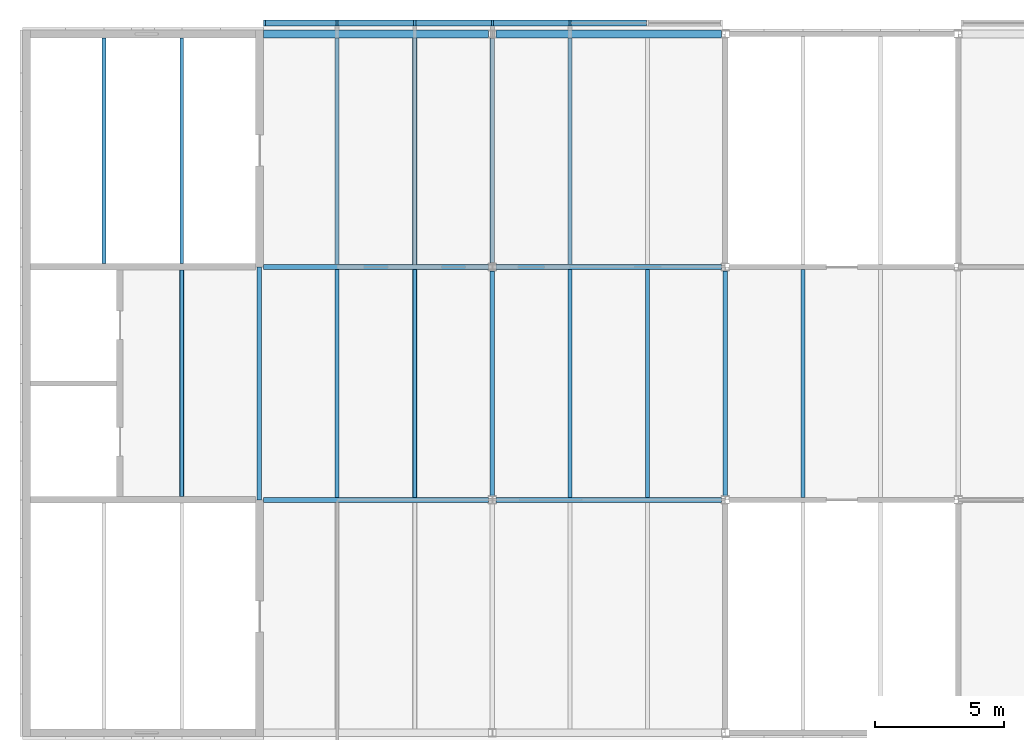
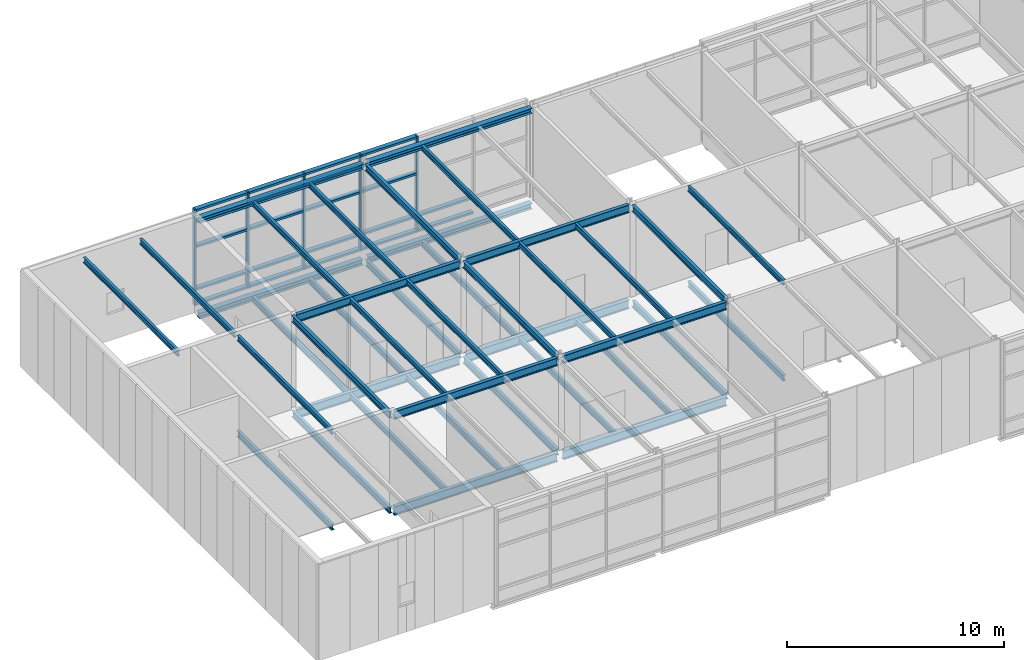
# One storey, part 15 of 46: 40 beams, 27 members, 1 element without a shape of its own.
"""IFC4 building model written with IfcOpenShell, lengths in metres."""

import ifcopenshell
import ifcopenshell.guid

model = None  # the IFC model being written
_history = None  # IfcOwnerHistory: only IFC2X3 demands one
_inside = {}  # id of a spatial element -> (the spatial element, [elements in it])
_under = {}  # id of a project, library or spatial element -> (it, [spatial elements below it])
_declared = {}  # id of a project -> (the project, [libraries it declares])
_typed = {}  # id of a type object -> (the type object, [elements of that type])
_made_of = {}  # id of a material, layer set ... -> (it, [elements and type objects made of it])


def new_model(schema):
    """Start an empty IFC model of exactly this schema.

    Asked for "IFC4X3", IfcOpenShell would pick the latest addendum, in which some entities
    have other attributes; the version numbers below select the first issue.
    IFC2X3 requires an IfcOwnerHistory on every rooted entity: one is made here for all.
    """
    global model, _history
    if schema == "IFC4X3":
        model = ifcopenshell.file(schema_version=(4, 3, 0, 0))
    else:
        model = ifcopenshell.file(schema=schema)
    _inside.clear()
    _under.clear()
    _declared.clear()
    _typed.clear()
    _made_of.clear()
    _history = None
    if model.schema == "IFC2X3":
        org = make("IfcOrganization", Name="unknown")
        user = make(
            "IfcPersonAndOrganization",
            ThePerson=make("IfcPerson", FamilyName="unknown"),
            TheOrganization=org,
        )
        app = make(
            "IfcApplication",
            ApplicationDeveloper=org,
            Version="unknown",
            ApplicationFullName="unknown",
            ApplicationIdentifier="unknown",
        )
        _history = make(
            "IfcOwnerHistory",
            OwningUser=user,
            OwningApplication=app,
            ChangeAction="ADDED",
            CreationDate=0,
        )
    return model


def make(cls, **values):
    """One entity of the class cls with the attributes given. An attribute that is None is left unset."""
    return model.create_entity(
        cls, **{name: value for name, value in values.items() if value is not None}
    )


def rooted(cls, **values):
    """An entity with a GlobalId (a new one), such as an element, a storey or a relation."""
    return make(cls, GlobalId=ifcopenshell.guid.new(), OwnerHistory=_history, **values)


def si_unit(unit_type, name, prefix=None):
    """IfcSIUnit, for example si_unit("LENGTHUNIT", "METRE", prefix="MILLI")."""
    return make("IfcSIUnit", UnitType=unit_type, Prefix=prefix, Name=name)


def assignment(units):
    """IfcUnitAssignment: the units of a project."""
    return None if units is None else make("IfcUnitAssignment", Units=units)


def point(xyz):
    """IfcCartesianPoint."""
    return None if xyz is None else make("IfcCartesianPoint", Coordinates=xyz)


def direction(xyz):
    """IfcDirection."""
    return None if xyz is None else make("IfcDirection", DirectionRatios=xyz)


def frame(location, z_axis=None, x_axis=None):
    """IfcAxis2Placement3D, a coordinate frame: its origin and axes. An axis left out is left unset."""
    return make(
        "IfcAxis2Placement3D",
        Location=point(location),
        Axis=direction(z_axis),
        RefDirection=direction(x_axis),
    )


def frame_2d(location, x_axis=None):
    """IfcAxis2Placement2D, a coordinate frame in the plane: its origin and x axis."""
    return make(
        "IfcAxis2Placement2D", Location=point(location), RefDirection=direction(x_axis)
    )


def origin():
    """The frame at (0, 0, 0) with its axes left unset."""
    return frame((0.0, 0.0, 0.0))


def origin_2d():
    """The frame at (0, 0) in the plane with its x axis left unset."""
    return frame_2d((0.0, 0.0))


def place(relative_to, where):
    """IfcLocalPlacement: puts the frame where relative to a parent placement (None: the world)."""
    return make(
        "IfcLocalPlacement", PlacementRelTo=relative_to, RelativePlacement=where
    )


def context(
    kind, dimensions, precision=None, world=None, true_north=None, identifier=None
):
    """IfcGeometricRepresentationContext, for example the 3D "Model" context."""
    return make(
        "IfcGeometricRepresentationContext",
        ContextIdentifier=identifier,
        ContextType=kind,
        CoordinateSpaceDimension=dimensions,
        Precision=precision,
        WorldCoordinateSystem=world,
        TrueNorth=true_north,
    )


def subcontext(parent, identifier, kind, view, scale=None):
    """IfcGeometricRepresentationSubContext, for example "Body" below "Model"."""
    return make(
        "IfcGeometricRepresentationSubContext",
        ContextIdentifier=identifier,
        ContextType=kind,
        ParentContext=parent,
        TargetScale=scale,
        TargetView=view,
    )


def project(units=None, contexts=None):
    """IfcProject with its units and contexts."""
    return rooted(
        "IfcProject",
        Name="project",
        RepresentationContexts=contexts,
        UnitsInContext=assignment(units),
    )


def spatial(cls, under=None, at=None, **own):
    """A site, building, storey or space (cls), placed at a placement, below another one or the project."""
    s = rooted(cls, ObjectPlacement=at, **own)
    if under is not None:
        _under.setdefault(under.id(), (under, []))[1].append(s)
    return s


def profile(cls, at=None, kind="AREA", **sizes):
    """A parametric profile (cls). Its sizes go by their IFC names, for example OverallWidth=200.0."""
    return make(cls, ProfileType=kind, Position=at, **sizes)


def rectangle(**sizes):
    """IfcRectangleProfileDef."""
    return profile("IfcRectangleProfileDef", **sizes)


def i_section(**sizes):
    """IfcIShapeProfileDef."""
    return profile("IfcIShapeProfileDef", **sizes)


def extrude(swept, where, along, depth):
    """IfcExtrudedAreaSolid: the profile swept, set in the frame where, extruded along a direction by depth."""
    return make(
        "IfcExtrudedAreaSolid",
        SweptArea=swept,
        Position=where,
        ExtrudedDirection=direction(along),
        Depth=depth,
    )


def shape(context_of_items, identifier, shape_type, items):
    """IfcShapeRepresentation: the items that make up one representation, for example the "Body"."""
    return make(
        "IfcShapeRepresentation",
        ContextOfItems=context_of_items,
        RepresentationIdentifier=identifier,
        RepresentationType=shape_type,
        Items=items,
    )


def material(Name=None, Category=None):
    """IfcMaterial."""
    return make("IfcMaterial", Name=Name, Category=Category)


def material_profile(
    of_material, cross_section, Name=None, Category=None, Priority=None
):
    """IfcMaterialProfile: a cross section and its material."""
    return make(
        "IfcMaterialProfile",
        Name=Name,
        Material=of_material,
        Profile=cross_section,
        Priority=Priority,
        Category=Category,
    )


def profile_set(profiles, Name=None, composite=None):
    """IfcMaterialProfileSet."""
    return make(
        "IfcMaterialProfileSet",
        Name=Name,
        MaterialProfiles=profiles,
        CompositeProfile=composite,
    )


def made_of(thing, what):
    """Note that an element or type object is made of a material, layer set ...; save() writes the relation."""
    if what is not None:
        _made_of.setdefault(what.id(), (what, []))[1].append(thing)
    return thing


def type_object(cls, material=None, **own):
    """A type object (cls), such as IfcWallType, which elements share."""
    return made_of(rooted(cls, **own), material)


def element(
    cls,
    number,
    at=None,
    inside=None,
    cuts=None,
    type_object=None,
    material=None,
    context=None,
    identifier="Body",
    shape_type=None,
    held_by="IfcProductDefinitionShape",
    body=None,
    shapes=None,
    **own,
):
    """One element of the class cls, such as IfcWall. Its Tag is "e" and its number.

    at: its placement. inside: the storey or other place that contains it. cuts: it is an
    opening in that element (IfcRelVoidsElement). A single representation is given by context,
    identifier, shape_type and body (its items); several are given by shapes. held_by: the class
    of the entity that holds the representations. save() writes the other relations.
    """
    e = rooted(cls, Tag="e%d" % number, ObjectPlacement=at, **own)
    if body is not None:
        shapes = [shape(context, identifier, shape_type, body)]
    if shapes is not None:
        e.Representation = make(held_by, Representations=shapes)
    if inside is not None:
        _inside.setdefault(inside.id(), (inside, []))[1].append(e)
    if cuts is not None:
        rooted(
            "IfcRelVoidsElement", RelatingBuildingElement=cuts, RelatedOpeningElement=e
        )
    if type_object is not None:
        _typed.setdefault(type_object.id(), (type_object, []))[1].append(e)
    return made_of(e, material)


def aggregate(whole, parts):
    """IfcRelAggregates: a whole, such as a stair, and the parts it consists of."""
    return rooted("IfcRelAggregates", RelatingObject=whole, RelatedObjects=parts)


def save(model, path):
    """Write the relations noted so far, then the file.

    IfcRelAggregates (storeys below a building ...), IfcRelContainedInSpatialStructure (elements
    in a storey), IfcRelDefinesByType, IfcRelAssociatesMaterial and IfcRelDeclares: one each for
    every whole, place, type object, material and project.
    """
    for whole, parts in _under.values():
        aggregate(whole, parts)
    for where, things in _inside.values():
        rooted(
            "IfcRelContainedInSpatialStructure",
            RelatedElements=things,
            RelatingStructure=where,
        )
    for kind, things in _typed.values():
        rooted("IfcRelDefinesByType", RelatedObjects=things, RelatingType=kind)
    for what, things in _made_of.values():
        rooted("IfcRelAssociatesMaterial", RelatedObjects=things, RelatingMaterial=what)
    for by, libraries in _declared.values():
        rooted("IfcRelDeclares", RelatingContext=by, RelatedDefinitions=libraries)
    model.write(path)


model = new_model("IFC4")

# Units and contexts
model_context = context("Model", 3, precision=1e-05, world=origin(), true_north=direction((0.0, 1.0)))
body_context = subcontext(model_context, "Body", "Model", "MODEL_VIEW")
ifc_project = project(units=[si_unit("LENGTHUNIT", "METRE"), si_unit("AREAUNIT", "SQUARE_METRE"), si_unit("VOLUMEUNIT", "CUBIC_METRE"), si_unit("PLANEANGLEUNIT", "RADIAN"), si_unit("MASSUNIT", "GRAM", prefix="KILO")], contexts=[model_context])

# Site, building, storey
site_placement = place(None, origin())
site = spatial("IfcSite", under=ifc_project, at=site_placement, CompositionType="ELEMENT")
building_placement = place(site_placement, origin())
building = spatial("IfcBuilding", under=site, at=building_placement, Name="Azimuth Sports and Learning Centre", CompositionType="ELEMENT")
storey_placement = place(building_placement, frame((0.0, 0.0, 21.60009765625)))
storey = spatial("IfcBuildingStorey", under=building, at=storey_placement, Name="L04", CompositionType="ELEMENT", Elevation=21.60009765625)

# Beams
ifc_material_1 = material(Name="Steel S355", Category="steel")
ifc_material_profile_1 = material_profile(ifc_material_1, i_section(OverallWidth=0.169921875, OverallDepth=0.360107421875, WebThickness=0.008056640625, FlangeThickness=0.0126953125, FilletRadius=0.01806640625, at=origin_2d()), Name="IPE 360")
ifc_profile_set_1 = profile_set([ifc_material_profile_1], Name="Steel S355")
beam_type_1 = type_object("IfcBeamType", Name="Beam IPE 360", PredefinedType="BEAM", material=ifc_profile_set_1)
beam_1_placement = place(storey_placement, frame((9.0, 99.0, -0.330078125), z_axis=(0.0, 1.0, 0.0), x_axis=(-1.0, 0.0, 0.0)))
element("IfcBeam", 1, at=beam_1_placement, inside=storey, type_object=beam_type_1, Name="Beam L04 WW 17", PredefinedType="BEAM", context=body_context, shape_type="SweptSolid", body=[
    extrude(i_section(OverallWidth=0.169921875, OverallDepth=0.360107421875, WebThickness=0.008056640625, FlangeThickness=0.0126953125, FilletRadius=0.01806640625, at=origin_2d()), origin(), (0.0, 0.0, 1.0), 9.0),
])
for number, where, z_axis, x_axis, name in (
    (2, (18.0, 99.179931640625, -0.330078125), (0.0, 1.0, 0.0), (-1.0, 0.0, 0.0), "Beam L04 WW 19"),
    (3, (18.0, 108.179931640625, -0.330078125), (0.0, 1.0, 0.0), (-1.0, 0.0, 0.0), "Beam L04 WW 20"),
    (4, (27.0, 99.179931640625, -0.330078125), (0.0, 1.0, 0.0), (-1.0, 0.0, 0.0), "Beam L04 WW 21"),
):
    element("IfcBeam", number, at=place(storey_placement, frame(where, z_axis=z_axis, x_axis=x_axis)), inside=storey, type_object=beam_type_1, Name=name, PredefinedType="BEAM", context=body_context, shape_type="SweptSolid", body=[
        extrude(i_section(OverallWidth=0.169921875, OverallDepth=0.360107421875, WebThickness=0.008056640625, FlangeThickness=0.0126953125, FilletRadius=0.01806640625, at=origin_2d()), origin(), (0.0, 0.0, 1.0), 8.64013671875),
    ])
beam_2_placement = place(storey_placement, frame((9.0, 99.0, 5.02001953125), z_axis=(0.0, 1.0, 0.0), x_axis=(-1.0, 0.0, 0.0)))
element("IfcBeam", 5, at=beam_2_placement, inside=storey, type_object=beam_type_1, Name="Beam L04 TE 17", PredefinedType="BEAM", context=body_context, shape_type="SweptSolid", body=[
    extrude(i_section(OverallWidth=0.169921875, OverallDepth=0.360107421875, WebThickness=0.008056640625, FlangeThickness=0.0126953125, FilletRadius=0.01806640625, at=origin_2d()), origin(), (0.0, 0.0, 1.0), 9.0),
])
for number, where, z_axis, x_axis, name in (
    (6, (18.0, 99.14990234375, 5.02001953125), (0.0, 1.0, 0.0), (-1.0, 0.0, 0.0), "Beam L04 TE 19"),
    (7, (18.0, 108.14990234375, 5.02001953125), (0.0, 1.0, 0.0), (-1.0, 0.0, 0.0), "Beam L04 TE 20"),
    (8, (27.0, 99.14990234375, 5.02001953125), (0.0, 1.0, 0.0), (-1.0, 0.0, 0.0), "Beam L04 TE 21"),
):
    element("IfcBeam", number, at=place(storey_placement, frame(where, z_axis=z_axis, x_axis=x_axis)), inside=storey, type_object=beam_type_1, Name=name, PredefinedType="BEAM", context=body_context, shape_type="SweptSolid", body=[
        extrude(i_section(OverallWidth=0.169921875, OverallDepth=0.360107421875, WebThickness=0.008056640625, FlangeThickness=0.0126953125, FilletRadius=0.01806640625, at=origin_2d()), origin(), (0.0, 0.0, 1.0), 8.7001953125),
    ])
ifc_material_2 = material(Name="Steel S355", Category="steel")
ifc_material_profile_2 = material_profile(ifc_material_2, i_section(OverallWidth=0.18994140625, OverallDepth=0.449951171875, WebThickness=0.009521484375, FlangeThickness=0.0146484375, FilletRadius=0.02099609375, at=origin_2d()), Name="IPE 450")
ifc_profile_set_2 = profile_set([ifc_material_profile_2], Name="Steel S355")
beam_type_2 = type_object("IfcBeamType", Name="Beam IPE 450", PredefinedType="BEAM", material=ifc_profile_set_2)
for number, where, z_axis, x_axis, name in (
    (9, (9.14990234375, 99.0, 4.974853515625), (1.0, 0.0, 0.0), (0.0, 1.0, 0.0), "Beam L04 TE 5"),
    (10, (18.14990234375, 99.0, 4.974853515625), (1.0, 0.0, 0.0), (0.0, 1.0, 0.0), "Beam L04 TE 6"),
    (11, (9.14990234375, 108.0, 4.974853515625), (1.0, 0.0, 0.0), (0.0, 1.0, 0.0), "Beam L04 TE 9"),
    (12, (18.14990234375, 108.0, 4.974853515625), (1.0, 0.0, 0.0), (0.0, 1.0, 0.0), "Beam L04 TE 10"),
):
    element("IfcBeam", number, at=place(storey_placement, frame(where, z_axis=z_axis, x_axis=x_axis)), inside=storey, type_object=beam_type_2, Name=name, PredefinedType="BEAM", context=body_context, shape_type="SweptSolid", body=[
        extrude(i_section(OverallWidth=0.18994140625, OverallDepth=0.449951171875, WebThickness=0.009521484375, FlangeThickness=0.0146484375, FilletRadius=0.02099609375, at=origin_2d()), origin(), (0.0, 0.0, 1.0), 8.7001953125),
    ])
ifc_material_3 = material(Name="Steel S355", Category="steel")
ifc_material_profile_3 = material_profile(ifc_material_3, i_section(OverallWidth=0.199951171875, OverallDepth=0.5, WebThickness=0.01025390625, FlangeThickness=0.01611328125, FilletRadius=0.02099609375, at=origin_2d()), Name="IPE 500")
ifc_profile_set_3 = profile_set([ifc_material_profile_3], Name="Steel S355")
beam_type_3 = type_object("IfcBeamType", Name="Beam IPE 500", PredefinedType="BEAM", material=ifc_profile_set_3)
for number, where, z_axis, x_axis, name in (
    (13, (9.14990234375, 99.0, -0.400146484375), (1.0, 0.0, 0.0), (0.0, 1.0, 0.0), "Beam L04 WW 5"),
    (14, (18.14990234375, 99.0, -0.400146484375), (1.0, 0.0, 0.0), (0.0, 1.0, 0.0), "Beam L04 WW 6"),
    (15, (9.14990234375, 108.0, -0.400146484375), (1.0, 0.0, 0.0), (0.0, 1.0, 0.0), "Beam L04 WW 9"),
    (16, (18.14990234375, 108.0, -0.400146484375), (1.0, 0.0, 0.0), (0.0, 1.0, 0.0), "Beam L04 WW 10"),
):
    element("IfcBeam", number, at=place(storey_placement, frame(where, z_axis=z_axis, x_axis=x_axis)), inside=storey, type_object=beam_type_3, Name=name, PredefinedType="BEAM", context=body_context, shape_type="SweptSolid", body=[
        extrude(i_section(OverallWidth=0.199951171875, OverallDepth=0.5, WebThickness=0.01025390625, FlangeThickness=0.01611328125, FilletRadius=0.02099609375, at=origin_2d()), origin(), (0.0, 0.0, 1.0), 8.7001953125),
    ])
ifc_material_4 = material(Name="Steel S355", Category="steel")
ifc_material_profile_4 = material_profile(ifc_material_4, i_section(OverallWidth=0.300048828125, OverallDepth=0.2900390625, WebThickness=0.008544921875, FlangeThickness=0.013916015625, FilletRadius=0.027099609375, at=origin_2d()), Name="HEA 300")
ifc_profile_set_4 = profile_set([ifc_material_profile_4], Name="Steel S355")
beam_type_4 = type_object("IfcBeamType", Name="Edge beam HEA 300", PredefinedType="SPANDREL", material=ifc_profile_set_4)
for number, where, z_axis, x_axis, name in (
    (17, (9.14990234375, 117.0, 5.054931640625), (1.0, 0.0, 0.0), (0.0, 1.0, 0.0), "Edge beam L04 TE 13"),
    (18, (18.14990234375, 117.0, 5.054931640625), (1.0, 0.0, 0.0), (0.0, 1.0, 0.0), "Edge beam L04 TE 14"),
):
    element("IfcBeam", number, at=place(storey_placement, frame(where, z_axis=z_axis, x_axis=x_axis)), inside=storey, type_object=beam_type_4, Name=name, PredefinedType="SPANDREL", context=body_context, shape_type="SweptSolid", body=[
        extrude(i_section(OverallWidth=0.300048828125, OverallDepth=0.2900390625, WebThickness=0.008544921875, FlangeThickness=0.013916015625, FilletRadius=0.027099609375, at=origin_2d()), origin(), (0.0, 0.0, 1.0), 8.7001953125),
    ])
ifc_material_5 = material(Name="Steel S355", Category="steel")
ifc_material_profile_5 = material_profile(ifc_material_5, i_section(OverallWidth=0.300048828125, OverallDepth=0.31005859375, WebThickness=0.009033203125, FlangeThickness=0.015380859375, FilletRadius=0.027099609375, at=origin_2d()), Name="HEA 320")
ifc_profile_set_5 = profile_set([ifc_material_profile_5], Name="Steel S355")
beam_type_5 = type_object("IfcBeamType", Name="Edge beam HEA 320", PredefinedType="SPANDREL", material=ifc_profile_set_5)
for number, where, z_axis, x_axis, name in (
    (19, (9.14990234375, 117.0, -0.30517578125), (1.0, 0.0, 0.0), (0.0, 1.0, 0.0), "Edge beam L04 WW 13"),
    (20, (18.14990234375, 117.0, -0.30517578125), (1.0, 0.0, 0.0), (0.0, 1.0, 0.0), "Edge beam L04 WW 14"),
):
    element("IfcBeam", number, at=place(storey_placement, frame(where, z_axis=z_axis, x_axis=x_axis)), inside=storey, type_object=beam_type_5, Name=name, PredefinedType="SPANDREL", context=body_context, shape_type="SweptSolid", body=[
        extrude(i_section(OverallWidth=0.300048828125, OverallDepth=0.31005859375, WebThickness=0.009033203125, FlangeThickness=0.015380859375, FilletRadius=0.027099609375, at=origin_2d()), origin(), (0.0, 0.0, 1.0), 8.7001953125),
    ])
ifc_material_6 = material(Name="Steel S355", Category="steel")
ifc_material_profile_6 = material_profile(ifc_material_6, i_section(OverallWidth=0.14990234375, OverallDepth=0.300048828125, WebThickness=0.007080078125, FlangeThickness=0.0107421875, FilletRadius=0.014892578125, at=origin_2d()), Name="IPE 300")
ifc_profile_set_6 = profile_set([ifc_material_profile_6], Name="Steel S355")
beam_type_6 = type_object("IfcBeamType", Name="Joist IPE 300", PredefinedType="JOIST", material=ifc_profile_set_6)
beam_3_placement = place(storey_placement, frame((3.0, 108.125, 5.0498046875), z_axis=(0.0, 1.0, 0.0), x_axis=(-1.0, 0.0, 0.0)))
element("IfcBeam", 21, at=beam_3_placement, inside=storey, type_object=beam_type_6, Name="Joist L04 TE 28", PredefinedType="JOIST", context=body_context, shape_type="SweptSolid", body=[
    extrude(i_section(OverallWidth=0.14990234375, OverallDepth=0.300048828125, WebThickness=0.007080078125, FlangeThickness=0.0107421875, FilletRadius=0.014892578125, at=origin_2d()), origin(), (0.0, 0.0, 1.0), 8.72509765625),
])
beam_4_placement = place(storey_placement, frame((6.0, 99.125, 5.0498046875), z_axis=(0.0, 1.0, 0.0), x_axis=(-1.0, 0.0, 0.0)))
element("IfcBeam", 22, at=beam_4_placement, inside=storey, type_object=beam_type_6, Name="Joist L04 TE 30", PredefinedType="JOIST", context=body_context, shape_type="SweptSolid", body=[
    extrude(i_section(OverallWidth=0.14990234375, OverallDepth=0.300048828125, WebThickness=0.007080078125, FlangeThickness=0.0107421875, FilletRadius=0.014892578125, at=origin_2d()), origin(), (0.0, 0.0, 1.0), 8.75),
])
beam_5_placement = place(storey_placement, frame((6.0, 108.125, 5.0498046875), z_axis=(0.0, 1.0, 0.0), x_axis=(-1.0, 0.0, 0.0)))
element("IfcBeam", 23, at=beam_5_placement, inside=storey, type_object=beam_type_6, Name="Joist L04 TE 31", PredefinedType="JOIST", context=body_context, shape_type="SweptSolid", body=[
    extrude(i_section(OverallWidth=0.14990234375, OverallDepth=0.300048828125, WebThickness=0.007080078125, FlangeThickness=0.0107421875, FilletRadius=0.014892578125, at=origin_2d()), origin(), (0.0, 0.0, 1.0), 8.72509765625),
])
beam_6_placement = place(storey_placement, frame((12.0, 99.094970703125, 5.0498046875), z_axis=(0.0, 1.0, 0.0), x_axis=(-1.0, 0.0, 0.0)))
element("IfcBeam", 24, at=beam_6_placement, inside=storey, type_object=beam_type_6, Name="Joist L04 TE 33", PredefinedType="JOIST", context=body_context, shape_type="SweptSolid", body=[
    extrude(i_section(OverallWidth=0.14990234375, OverallDepth=0.300048828125, WebThickness=0.007080078125, FlangeThickness=0.0107421875, FilletRadius=0.014892578125, at=origin_2d()), origin(), (0.0, 0.0, 1.0), 8.81005859375),
])
beam_7_placement = place(storey_placement, frame((12.0, 108.094970703125, 5.0498046875), z_axis=(0.0, 1.0, 0.0), x_axis=(-1.0, 0.0, 0.0)))
element("IfcBeam", 25, at=beam_7_placement, inside=storey, type_object=beam_type_6, Name="Joist L04 TE 34", PredefinedType="JOIST", context=body_context, shape_type="SweptSolid", body=[
    extrude(i_section(OverallWidth=0.14990234375, OverallDepth=0.300048828125, WebThickness=0.007080078125, FlangeThickness=0.0107421875, FilletRadius=0.014892578125, at=origin_2d()), origin(), (0.0, 0.0, 1.0), 8.755126953125),
])
beam_8_placement = place(storey_placement, frame((15.0, 99.094970703125, 5.0498046875), z_axis=(0.0, 1.0, 0.0), x_axis=(-1.0, 0.0, 0.0)))
element("IfcBeam", 26, at=beam_8_placement, inside=storey, type_object=beam_type_6, Name="Joist L04 TE 36", PredefinedType="JOIST", context=body_context, shape_type="SweptSolid", body=[
    extrude(i_section(OverallWidth=0.14990234375, OverallDepth=0.300048828125, WebThickness=0.007080078125, FlangeThickness=0.0107421875, FilletRadius=0.014892578125, at=origin_2d()), origin(), (0.0, 0.0, 1.0), 8.81005859375),
])
beam_9_placement = place(storey_placement, frame((15.0, 108.094970703125, 5.0498046875), z_axis=(0.0, 1.0, 0.0), x_axis=(-1.0, 0.0, 0.0)))
element("IfcBeam", 27, at=beam_9_placement, inside=storey, type_object=beam_type_6, Name="Joist L04 TE 37", PredefinedType="JOIST", context=body_context, shape_type="SweptSolid", body=[
    extrude(i_section(OverallWidth=0.14990234375, OverallDepth=0.300048828125, WebThickness=0.007080078125, FlangeThickness=0.0107421875, FilletRadius=0.014892578125, at=origin_2d()), origin(), (0.0, 0.0, 1.0), 8.755126953125),
])
beam_10_placement = place(storey_placement, frame((21.0, 99.094970703125, 5.0498046875), z_axis=(0.0, 1.0, 0.0), x_axis=(-1.0, 0.0, 0.0)))
element("IfcBeam", 28, at=beam_10_placement, inside=storey, type_object=beam_type_6, Name="Joist L04 TE 39", PredefinedType="JOIST", context=body_context, shape_type="SweptSolid", body=[
    extrude(i_section(OverallWidth=0.14990234375, OverallDepth=0.300048828125, WebThickness=0.007080078125, FlangeThickness=0.0107421875, FilletRadius=0.014892578125, at=origin_2d()), origin(), (0.0, 0.0, 1.0), 8.81005859375),
])
beam_11_placement = place(storey_placement, frame((21.0, 108.094970703125, 5.0498046875), z_axis=(0.0, 1.0, 0.0), x_axis=(-1.0, 0.0, 0.0)))
element("IfcBeam", 29, at=beam_11_placement, inside=storey, type_object=beam_type_6, Name="Joist L04 TE 40", PredefinedType="JOIST", context=body_context, shape_type="SweptSolid", body=[
    extrude(i_section(OverallWidth=0.14990234375, OverallDepth=0.300048828125, WebThickness=0.007080078125, FlangeThickness=0.0107421875, FilletRadius=0.014892578125, at=origin_2d()), origin(), (0.0, 0.0, 1.0), 8.755126953125),
])
beam_12_placement = place(storey_placement, frame((24.0, 99.094970703125, 5.0498046875), z_axis=(0.0, 1.0, 0.0), x_axis=(-1.0, 0.0, 0.0)))
element("IfcBeam", 30, at=beam_12_placement, inside=storey, type_object=beam_type_6, Name="Joist L04 TE 42", PredefinedType="JOIST", context=body_context, shape_type="SweptSolid", body=[
    extrude(i_section(OverallWidth=0.14990234375, OverallDepth=0.300048828125, WebThickness=0.007080078125, FlangeThickness=0.0107421875, FilletRadius=0.014892578125, at=origin_2d()), origin(), (0.0, 0.0, 1.0), 8.81005859375),
])
beam_13_placement = place(storey_placement, frame((30.0, 99.10009765625, 5.0498046875), z_axis=(0.0, 1.0, 0.0), x_axis=(-1.0, 0.0, 0.0)))
element("IfcBeam", 31, at=beam_13_placement, inside=storey, type_object=beam_type_6, Name="Joist L04 TE 45", PredefinedType="JOIST", context=body_context, shape_type="SweptSolid", body=[
    extrude(i_section(OverallWidth=0.14990234375, OverallDepth=0.300048828125, WebThickness=0.007080078125, FlangeThickness=0.0107421875, FilletRadius=0.014892578125, at=origin_2d()), origin(), (0.0, 0.0, 1.0), 8.7998046875),
])
ifc_material_7 = material(Name="Steel S355", Category="steel")
ifc_material_profile_7 = material_profile(ifc_material_7, i_section(OverallWidth=0.159912109375, OverallDepth=0.330078125, WebThickness=0.007568359375, FlangeThickness=0.011474609375, FilletRadius=0.01806640625, at=origin_2d()), Name="IPE 330")
ifc_profile_set_7 = profile_set([ifc_material_profile_7], Name="Steel S355")
beam_type_7 = type_object("IfcBeamType", Name="Joist IPE 330", PredefinedType="JOIST", material=ifc_profile_set_7)
beam_14_placement = place(storey_placement, frame((6.0, 99.125, -0.315185546875), z_axis=(0.0, 1.0, 0.0), x_axis=(-1.0, 0.0, 0.0)))
element("IfcBeam", 32, at=beam_14_placement, inside=storey, type_object=beam_type_7, Name="Joist L04 WW 27", PredefinedType="JOIST", context=body_context, shape_type="SweptSolid", body=[
    extrude(i_section(OverallWidth=0.159912109375, OverallDepth=0.330078125, WebThickness=0.007568359375, FlangeThickness=0.011474609375, FilletRadius=0.01806640625, at=origin_2d()), origin(), (0.0, 0.0, 1.0), 8.75),
])
beam_15_placement = place(storey_placement, frame((12.0, 99.10009765625, -0.315185546875), z_axis=(0.0, 1.0, 0.0), x_axis=(-1.0, 0.0, 0.0)))
element("IfcBeam", 33, at=beam_15_placement, inside=storey, type_object=beam_type_7, Name="Joist L04 WW 29", PredefinedType="JOIST", context=body_context, shape_type="SweptSolid", body=[
    extrude(i_section(OverallWidth=0.159912109375, OverallDepth=0.330078125, WebThickness=0.007568359375, FlangeThickness=0.011474609375, FilletRadius=0.01806640625, at=origin_2d()), origin(), (0.0, 0.0, 1.0), 8.7998046875),
])
beam_16_placement = place(storey_placement, frame((12.0, 108.10009765625, -0.315185546875), z_axis=(0.0, 1.0, 0.0), x_axis=(-1.0, 0.0, 0.0)))
element("IfcBeam", 34, at=beam_16_placement, inside=storey, type_object=beam_type_7, Name="Joist L04 WW 30", PredefinedType="JOIST", context=body_context, shape_type="SweptSolid", body=[
    extrude(i_section(OverallWidth=0.159912109375, OverallDepth=0.330078125, WebThickness=0.007568359375, FlangeThickness=0.011474609375, FilletRadius=0.01806640625, at=origin_2d()), origin(), (0.0, 0.0, 1.0), 8.75),
])
beam_17_placement = place(storey_placement, frame((15.0, 99.10009765625, -0.315185546875), z_axis=(0.0, 1.0, 0.0), x_axis=(-1.0, 0.0, 0.0)))
element("IfcBeam", 35, at=beam_17_placement, inside=storey, type_object=beam_type_7, Name="Joist L04 WW 32", PredefinedType="JOIST", context=body_context, shape_type="SweptSolid", body=[
    extrude(i_section(OverallWidth=0.159912109375, OverallDepth=0.330078125, WebThickness=0.007568359375, FlangeThickness=0.011474609375, FilletRadius=0.01806640625, at=origin_2d()), origin(), (0.0, 0.0, 1.0), 8.7998046875),
])
beam_18_placement = place(storey_placement, frame((15.0, 108.10009765625, -0.315185546875), z_axis=(0.0, 1.0, 0.0), x_axis=(-1.0, 0.0, 0.0)))
element("IfcBeam", 36, at=beam_18_placement, inside=storey, type_object=beam_type_7, Name="Joist L04 WW 33", PredefinedType="JOIST", context=body_context, shape_type="SweptSolid", body=[
    extrude(i_section(OverallWidth=0.159912109375, OverallDepth=0.330078125, WebThickness=0.007568359375, FlangeThickness=0.011474609375, FilletRadius=0.01806640625, at=origin_2d()), origin(), (0.0, 0.0, 1.0), 8.75),
])
beam_19_placement = place(storey_placement, frame((21.0, 99.10009765625, -0.315185546875), z_axis=(0.0, 1.0, 0.0), x_axis=(-1.0, 0.0, 0.0)))
element("IfcBeam", 37, at=beam_19_placement, inside=storey, type_object=beam_type_7, Name="Joist L04 WW 35", PredefinedType="JOIST", context=body_context, shape_type="SweptSolid", body=[
    extrude(i_section(OverallWidth=0.159912109375, OverallDepth=0.330078125, WebThickness=0.007568359375, FlangeThickness=0.011474609375, FilletRadius=0.01806640625, at=origin_2d()), origin(), (0.0, 0.0, 1.0), 8.7998046875),
])
beam_20_placement = place(storey_placement, frame((21.0, 108.10009765625, -0.315185546875), z_axis=(0.0, 1.0, 0.0), x_axis=(-1.0, 0.0, 0.0)))
element("IfcBeam", 38, at=beam_20_placement, inside=storey, type_object=beam_type_7, Name="Joist L04 WW 36", PredefinedType="JOIST", context=body_context, shape_type="SweptSolid", body=[
    extrude(i_section(OverallWidth=0.159912109375, OverallDepth=0.330078125, WebThickness=0.007568359375, FlangeThickness=0.011474609375, FilletRadius=0.01806640625, at=origin_2d()), origin(), (0.0, 0.0, 1.0), 8.75),
])
for number, where, z_axis, x_axis, name in (
    (39, (24.0, 99.10009765625, -0.315185546875), (0.0, 1.0, 0.0), (-1.0, 0.0, 0.0), "Joist L04 WW 38"),
    (40, (30.0, 99.10009765625, -0.315185546875), (0.0, 1.0, 0.0), (-1.0, 0.0, 0.0), "Joist L04 WW 40"),
):
    element("IfcBeam", number, at=place(storey_placement, frame(where, z_axis=z_axis, x_axis=x_axis)), inside=storey, type_object=beam_type_7, Name=name, PredefinedType="JOIST", context=body_context, shape_type="SweptSolid", body=[
        extrude(i_section(OverallWidth=0.159912109375, OverallDepth=0.330078125, WebThickness=0.007568359375, FlangeThickness=0.011474609375, FilletRadius=0.01806640625, at=origin_2d()), origin(), (0.0, 0.0, 1.0), 8.7998046875),
    ])

# Curtain wall, members
ifc_material_8 = material(Name="Aluminium and glass", Category="aluminium")
curtain_wall_type = type_object("IfcCurtainWallType", Name="Curtain wall podium wing 240", PredefinedType="NOTDEFINED", material=ifc_material_8)
curtain_wall_placement = place(storey_placement, origin())
curtain_wall = element("IfcCurtainWall", 41, at=curtain_wall_placement, inside=storey, type_object=curtain_wall_type, Name="Curtain wall CW04-014", PredefinedType="NOTDEFINED")
ifc_material_9 = material(Name="Aluminium", Category="aluminium")
ifc_material_profile_8 = material_profile(ifc_material_9, rectangle(XDim=0.239990234375, YDim=0.080078125, at=origin_2d()), Name="Mullion 80x240")
ifc_profile_set_8 = profile_set([ifc_material_profile_8], Name="Aluminium")
member_type_1 = type_object("IfcMemberType", Name="Mullion 80x240", PredefinedType="MULLION", material=ifc_profile_set_8)
member_1_placement = place(storey_placement, frame((21.0, 117.419921875, 0.0), z_axis=(0.0, 0.0, 1.0), x_axis=(0.0, -1.0, 0.0)))
member_1 = element("IfcMember", 42, at=member_1_placement, type_object=member_type_1, Name="CW04-014 mullion 3", PredefinedType="MULLION", context=body_context, shape_type="SweptSolid", body=[
    extrude(rectangle(XDim=0.239990234375, YDim=0.080078125, at=origin_2d()), origin(), (0.0, 0.0, 1.0), 5.39990234375),
])
member_2_placement = place(storey_placement, frame((18.0, 117.419921875, 0.0), z_axis=(0.0, 0.0, 1.0), x_axis=(0.0, -1.0, 0.0)))
member_2 = element("IfcMember", 43, at=member_2_placement, type_object=member_type_1, Name="CW04-014 mullion 4", PredefinedType="MULLION", context=body_context, shape_type="SweptSolid", body=[
    extrude(rectangle(XDim=0.239990234375, YDim=0.080078125, at=origin_2d()), origin(), (0.0, 0.0, 1.0), 5.39990234375),
])
member_3_placement = place(storey_placement, frame((15.0, 117.419921875, 0.0), z_axis=(0.0, 0.0, 1.0), x_axis=(0.0, -1.0, 0.0)))
member_3 = element("IfcMember", 44, at=member_3_placement, type_object=member_type_1, Name="CW04-014 mullion 5", PredefinedType="MULLION", context=body_context, shape_type="SweptSolid", body=[
    extrude(rectangle(XDim=0.239990234375, YDim=0.080078125, at=origin_2d()), origin(), (0.0, 0.0, 1.0), 5.39990234375),
])
member_4_placement = place(storey_placement, frame((12.0, 117.419921875, 0.0), z_axis=(0.0, 0.0, 1.0), x_axis=(0.0, -1.0, 0.0)))
member_4 = element("IfcMember", 45, at=member_4_placement, type_object=member_type_1, Name="CW04-014 mullion 6", PredefinedType="MULLION", context=body_context, shape_type="SweptSolid", body=[
    extrude(rectangle(XDim=0.239990234375, YDim=0.080078125, at=origin_2d()), origin(), (0.0, 0.0, 1.0), 5.39990234375),
])
member_5_placement = place(storey_placement, frame((9.18994140625, 117.419921875, 0.0), z_axis=(0.0, 0.0, 1.0), x_axis=(0.0, -1.0, 0.0)))
member_5 = element("IfcMember", 46, at=member_5_placement, type_object=member_type_1, Name="CW04-014 mullion 7", PredefinedType="MULLION", context=body_context, shape_type="SweptSolid", body=[
    extrude(rectangle(XDim=0.239990234375, YDim=0.080078125, at=origin_2d()), origin(), (0.0, 0.0, 1.0), 5.39990234375),
])
ifc_material_10 = material(Name="Aluminium", Category="aluminium")
ifc_material_profile_9 = material_profile(ifc_material_10, rectangle(XDim=0.239990234375, YDim=0.1201171875, at=origin_2d()), Name="Transom 120x240")
ifc_profile_set_9 = profile_set([ifc_material_profile_9], Name="Aluminium")
member_type_2 = type_object("IfcMemberType", Name="Transom 120x240", PredefinedType="USERDEFINED", material=ifc_profile_set_9)
member_6_placement = place(storey_placement, frame((23.9599609375, 117.419921875, 0.059814453125), z_axis=(-1.0, 0.0, 0.0), x_axis=(0.0, -1.0, 0.0)))
member_6 = element("IfcMember", 47, at=member_6_placement, type_object=member_type_2, Name="CW04-014 transom 2.1", ObjectType="TRANSOM", PredefinedType="USERDEFINED", context=body_context, shape_type="SweptSolid", body=[
    extrude(rectangle(XDim=0.239990234375, YDim=0.1201171875, at=origin_2d()), origin(), (0.0, 0.0, 1.0), 2.919921875),
])
member_7_placement = place(storey_placement, frame((23.9599609375, 117.419921875, 0.89990234375), z_axis=(-1.0, 0.0, 0.0), x_axis=(0.0, -1.0, 0.0)))
member_7 = element("IfcMember", 48, at=member_7_placement, type_object=member_type_2, Name="CW04-014 transom 2.2", ObjectType="TRANSOM", PredefinedType="USERDEFINED", context=body_context, shape_type="SweptSolid", body=[
    extrude(rectangle(XDim=0.239990234375, YDim=0.1201171875, at=origin_2d()), origin(), (0.0, 0.0, 1.0), 2.919921875),
])
member_8_placement = place(storey_placement, frame((20.9599609375, 117.419921875, 0.059814453125), z_axis=(-1.0, 0.0, 0.0), x_axis=(0.0, -1.0, 0.0)))
member_8 = element("IfcMember", 49, at=member_8_placement, type_object=member_type_2, Name="CW04-014 transom 3.1", ObjectType="TRANSOM", PredefinedType="USERDEFINED", context=body_context, shape_type="SweptSolid", body=[
    extrude(rectangle(XDim=0.239990234375, YDim=0.1201171875, at=origin_2d()), origin(), (0.0, 0.0, 1.0), 2.919921875),
])
member_9_placement = place(storey_placement, frame((20.9599609375, 117.419921875, 0.89990234375), z_axis=(-1.0, 0.0, 0.0), x_axis=(0.0, -1.0, 0.0)))
member_9 = element("IfcMember", 50, at=member_9_placement, type_object=member_type_2, Name="CW04-014 transom 3.2", ObjectType="TRANSOM", PredefinedType="USERDEFINED", context=body_context, shape_type="SweptSolid", body=[
    extrude(rectangle(XDim=0.239990234375, YDim=0.1201171875, at=origin_2d()), origin(), (0.0, 0.0, 1.0), 2.919921875),
])
member_10_placement = place(storey_placement, frame((20.9599609375, 117.419921875, 3.2998046875), z_axis=(-1.0, 0.0, 0.0), x_axis=(0.0, -1.0, 0.0)))
member_10 = element("IfcMember", 51, at=member_10_placement, type_object=member_type_2, Name="CW04-014 transom 3.3", ObjectType="TRANSOM", PredefinedType="USERDEFINED", context=body_context, shape_type="SweptSolid", body=[
    extrude(rectangle(XDim=0.239990234375, YDim=0.1201171875, at=origin_2d()), origin(), (0.0, 0.0, 1.0), 2.919921875),
])
member_11_placement = place(storey_placement, frame((20.9599609375, 117.419921875, 4.699951171875), z_axis=(-1.0, 0.0, 0.0), x_axis=(0.0, -1.0, 0.0)))
member_11 = element("IfcMember", 52, at=member_11_placement, type_object=member_type_2, Name="CW04-014 transom 3.4", ObjectType="TRANSOM", PredefinedType="USERDEFINED", context=body_context, shape_type="SweptSolid", body=[
    extrude(rectangle(XDim=0.239990234375, YDim=0.1201171875, at=origin_2d()), origin(), (0.0, 0.0, 1.0), 2.919921875),
])
member_12_placement = place(storey_placement, frame((20.9599609375, 117.419921875, 5.33984375), z_axis=(-1.0, 0.0, 0.0), x_axis=(0.0, -1.0, 0.0)))
member_12 = element("IfcMember", 53, at=member_12_placement, type_object=member_type_2, Name="CW04-014 transom 3.5", ObjectType="TRANSOM", PredefinedType="USERDEFINED", context=body_context, shape_type="SweptSolid", body=[
    extrude(rectangle(XDim=0.239990234375, YDim=0.1201171875, at=origin_2d()), origin(), (0.0, 0.0, 1.0), 2.919921875),
])
member_13_placement = place(storey_placement, frame((17.9599609375, 117.419921875, 0.059814453125), z_axis=(-1.0, 0.0, 0.0), x_axis=(0.0, -1.0, 0.0)))
member_13 = element("IfcMember", 54, at=member_13_placement, type_object=member_type_2, Name="CW04-014 transom 4.1", ObjectType="TRANSOM", PredefinedType="USERDEFINED", context=body_context, shape_type="SweptSolid", body=[
    extrude(rectangle(XDim=0.239990234375, YDim=0.1201171875, at=origin_2d()), origin(), (0.0, 0.0, 1.0), 2.919921875),
])
member_14_placement = place(storey_placement, frame((17.9599609375, 117.419921875, 0.89990234375), z_axis=(-1.0, 0.0, 0.0), x_axis=(0.0, -1.0, 0.0)))
member_14 = element("IfcMember", 55, at=member_14_placement, type_object=member_type_2, Name="CW04-014 transom 4.2", ObjectType="TRANSOM", PredefinedType="USERDEFINED", context=body_context, shape_type="SweptSolid", body=[
    extrude(rectangle(XDim=0.239990234375, YDim=0.1201171875, at=origin_2d()), origin(), (0.0, 0.0, 1.0), 2.919921875),
])
member_15_placement = place(storey_placement, frame((17.9599609375, 117.419921875, 3.2998046875), z_axis=(-1.0, 0.0, 0.0), x_axis=(0.0, -1.0, 0.0)))
member_15 = element("IfcMember", 56, at=member_15_placement, type_object=member_type_2, Name="CW04-014 transom 4.3", ObjectType="TRANSOM", PredefinedType="USERDEFINED", context=body_context, shape_type="SweptSolid", body=[
    extrude(rectangle(XDim=0.239990234375, YDim=0.1201171875, at=origin_2d()), origin(), (0.0, 0.0, 1.0), 2.919921875),
])
member_16_placement = place(storey_placement, frame((17.9599609375, 117.419921875, 4.699951171875), z_axis=(-1.0, 0.0, 0.0), x_axis=(0.0, -1.0, 0.0)))
member_16 = element("IfcMember", 57, at=member_16_placement, type_object=member_type_2, Name="CW04-014 transom 4.4", ObjectType="TRANSOM", PredefinedType="USERDEFINED", context=body_context, shape_type="SweptSolid", body=[
    extrude(rectangle(XDim=0.239990234375, YDim=0.1201171875, at=origin_2d()), origin(), (0.0, 0.0, 1.0), 2.919921875),
])
member_17_placement = place(storey_placement, frame((17.9599609375, 117.419921875, 5.33984375), z_axis=(-1.0, 0.0, 0.0), x_axis=(0.0, -1.0, 0.0)))
member_17 = element("IfcMember", 58, at=member_17_placement, type_object=member_type_2, Name="CW04-014 transom 4.5", ObjectType="TRANSOM", PredefinedType="USERDEFINED", context=body_context, shape_type="SweptSolid", body=[
    extrude(rectangle(XDim=0.239990234375, YDim=0.1201171875, at=origin_2d()), origin(), (0.0, 0.0, 1.0), 2.919921875),
])
member_18_placement = place(storey_placement, frame((14.9599609375, 117.419921875, 0.059814453125), z_axis=(-1.0, 0.0, 0.0), x_axis=(0.0, -1.0, 0.0)))
member_18 = element("IfcMember", 59, at=member_18_placement, type_object=member_type_2, Name="CW04-014 transom 5.1", ObjectType="TRANSOM", PredefinedType="USERDEFINED", context=body_context, shape_type="SweptSolid", body=[
    extrude(rectangle(XDim=0.239990234375, YDim=0.1201171875, at=origin_2d()), origin(), (0.0, 0.0, 1.0), 2.919921875),
])
member_19_placement = place(storey_placement, frame((14.9599609375, 117.419921875, 0.89990234375), z_axis=(-1.0, 0.0, 0.0), x_axis=(0.0, -1.0, 0.0)))
member_19 = element("IfcMember", 60, at=member_19_placement, type_object=member_type_2, Name="CW04-014 transom 5.2", ObjectType="TRANSOM", PredefinedType="USERDEFINED", context=body_context, shape_type="SweptSolid", body=[
    extrude(rectangle(XDim=0.239990234375, YDim=0.1201171875, at=origin_2d()), origin(), (0.0, 0.0, 1.0), 2.919921875),
])
member_20_placement = place(storey_placement, frame((14.9599609375, 117.419921875, 3.2998046875), z_axis=(-1.0, 0.0, 0.0), x_axis=(0.0, -1.0, 0.0)))
member_20 = element("IfcMember", 61, at=member_20_placement, type_object=member_type_2, Name="CW04-014 transom 5.3", ObjectType="TRANSOM", PredefinedType="USERDEFINED", context=body_context, shape_type="SweptSolid", body=[
    extrude(rectangle(XDim=0.239990234375, YDim=0.1201171875, at=origin_2d()), origin(), (0.0, 0.0, 1.0), 2.919921875),
])
member_21_placement = place(storey_placement, frame((14.9599609375, 117.419921875, 4.699951171875), z_axis=(-1.0, 0.0, 0.0), x_axis=(0.0, -1.0, 0.0)))
member_21 = element("IfcMember", 62, at=member_21_placement, type_object=member_type_2, Name="CW04-014 transom 5.4", ObjectType="TRANSOM", PredefinedType="USERDEFINED", context=body_context, shape_type="SweptSolid", body=[
    extrude(rectangle(XDim=0.239990234375, YDim=0.1201171875, at=origin_2d()), origin(), (0.0, 0.0, 1.0), 2.919921875),
])
member_22_placement = place(storey_placement, frame((14.9599609375, 117.419921875, 5.33984375), z_axis=(-1.0, 0.0, 0.0), x_axis=(0.0, -1.0, 0.0)))
member_22 = element("IfcMember", 63, at=member_22_placement, type_object=member_type_2, Name="CW04-014 transom 5.5", ObjectType="TRANSOM", PredefinedType="USERDEFINED", context=body_context, shape_type="SweptSolid", body=[
    extrude(rectangle(XDim=0.239990234375, YDim=0.1201171875, at=origin_2d()), origin(), (0.0, 0.0, 1.0), 2.919921875),
])
member_23_placement = place(storey_placement, frame((11.9599609375, 117.419921875, 0.059814453125), z_axis=(-1.0, 0.0, 0.0), x_axis=(0.0, -1.0, 0.0)))
member_23 = element("IfcMember", 64, at=member_23_placement, type_object=member_type_2, Name="CW04-014 transom 6.1", ObjectType="TRANSOM", PredefinedType="USERDEFINED", context=body_context, shape_type="SweptSolid", body=[
    extrude(rectangle(XDim=0.239990234375, YDim=0.1201171875, at=origin_2d()), origin(), (0.0, 0.0, 1.0), 2.72998046875),
])
member_24_placement = place(storey_placement, frame((11.9599609375, 117.419921875, 0.89990234375), z_axis=(-1.0, 0.0, 0.0), x_axis=(0.0, -1.0, 0.0)))
member_24 = element("IfcMember", 65, at=member_24_placement, type_object=member_type_2, Name="CW04-014 transom 6.2", ObjectType="TRANSOM", PredefinedType="USERDEFINED", context=body_context, shape_type="SweptSolid", body=[
    extrude(rectangle(XDim=0.239990234375, YDim=0.1201171875, at=origin_2d()), origin(), (0.0, 0.0, 1.0), 2.72998046875),
])
member_25_placement = place(storey_placement, frame((11.9599609375, 117.419921875, 3.2998046875), z_axis=(-1.0, 0.0, 0.0), x_axis=(0.0, -1.0, 0.0)))
member_25 = element("IfcMember", 66, at=member_25_placement, type_object=member_type_2, Name="CW04-014 transom 6.3", ObjectType="TRANSOM", PredefinedType="USERDEFINED", context=body_context, shape_type="SweptSolid", body=[
    extrude(rectangle(XDim=0.239990234375, YDim=0.1201171875, at=origin_2d()), origin(), (0.0, 0.0, 1.0), 2.72998046875),
])
member_26_placement = place(storey_placement, frame((11.9599609375, 117.419921875, 4.699951171875), z_axis=(-1.0, 0.0, 0.0), x_axis=(0.0, -1.0, 0.0)))
member_26 = element("IfcMember", 67, at=member_26_placement, type_object=member_type_2, Name="CW04-014 transom 6.4", ObjectType="TRANSOM", PredefinedType="USERDEFINED", context=body_context, shape_type="SweptSolid", body=[
    extrude(rectangle(XDim=0.239990234375, YDim=0.1201171875, at=origin_2d()), origin(), (0.0, 0.0, 1.0), 2.72998046875),
])
member_27_placement = place(storey_placement, frame((11.9599609375, 117.419921875, 5.33984375), z_axis=(-1.0, 0.0, 0.0), x_axis=(0.0, -1.0, 0.0)))
member_27 = element("IfcMember", 68, at=member_27_placement, type_object=member_type_2, Name="CW04-014 transom 6.5", ObjectType="TRANSOM", PredefinedType="USERDEFINED", context=body_context, shape_type="SweptSolid", body=[
    extrude(rectangle(XDim=0.239990234375, YDim=0.1201171875, at=origin_2d()), origin(), (0.0, 0.0, 1.0), 2.72998046875),
])
aggregate(curtain_wall, [member_1, member_2, member_3, member_4, member_5, member_6, member_7, member_8, member_9, member_10, member_11, member_12, member_13, member_14, member_15, member_16, member_17, member_18, member_19, member_20, member_21, member_22, member_23, member_24, member_25, member_26, member_27])

save(model, "model.ifc")
